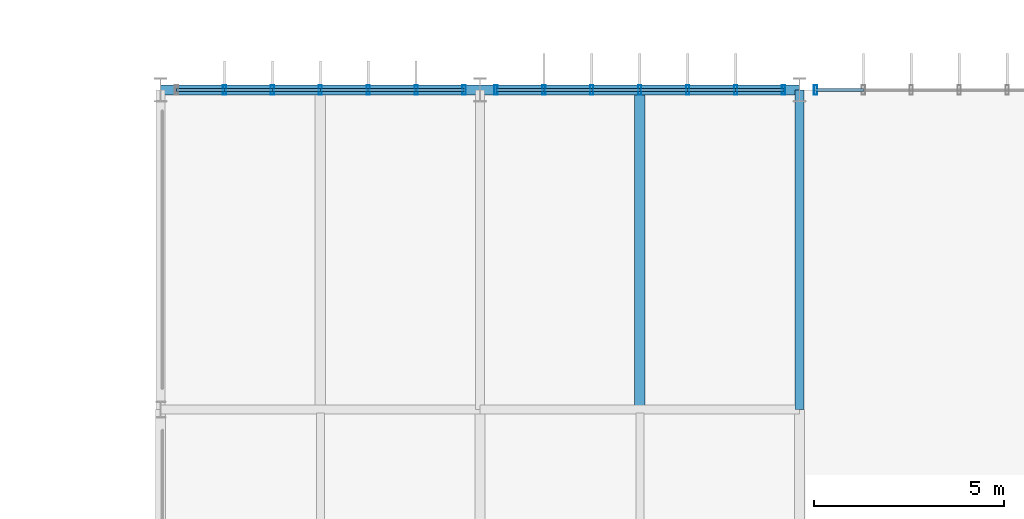
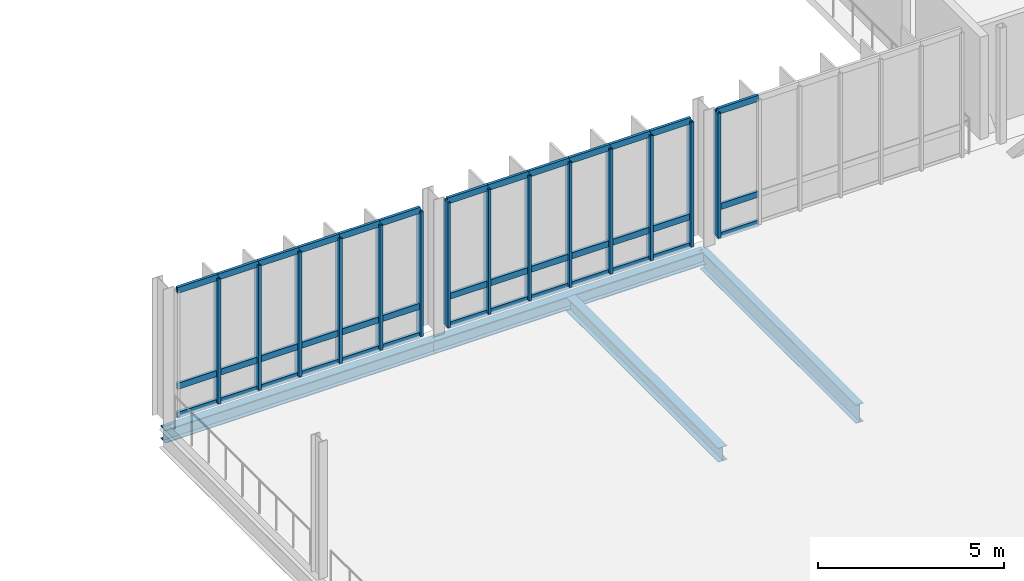
# One storey, part 66 of 139: 53 members, 4 beams, 3 elements without a shape of their own.
"""IFC4 building model written with IfcOpenShell, lengths in metres."""

import ifcopenshell
import ifcopenshell.guid

model = None  # the IFC model being written
_history = None  # IfcOwnerHistory: only IFC2X3 demands one
_inside = {}  # id of a spatial element -> (the spatial element, [elements in it])
_under = {}  # id of a project, library or spatial element -> (it, [spatial elements below it])
_declared = {}  # id of a project -> (the project, [libraries it declares])
_typed = {}  # id of a type object -> (the type object, [elements of that type])
_made_of = {}  # id of a material, layer set ... -> (it, [elements and type objects made of it])


def new_model(schema):
    """Start an empty IFC model of exactly this schema.

    Asked for "IFC4X3", IfcOpenShell would pick the latest addendum, in which some entities
    have other attributes; the version numbers below select the first issue.
    IFC2X3 requires an IfcOwnerHistory on every rooted entity: one is made here for all.
    """
    global model, _history
    if schema == "IFC4X3":
        model = ifcopenshell.file(schema_version=(4, 3, 0, 0))
    else:
        model = ifcopenshell.file(schema=schema)
    _inside.clear()
    _under.clear()
    _declared.clear()
    _typed.clear()
    _made_of.clear()
    _history = None
    if model.schema == "IFC2X3":
        org = make("IfcOrganization", Name="unknown")
        user = make(
            "IfcPersonAndOrganization",
            ThePerson=make("IfcPerson", FamilyName="unknown"),
            TheOrganization=org,
        )
        app = make(
            "IfcApplication",
            ApplicationDeveloper=org,
            Version="unknown",
            ApplicationFullName="unknown",
            ApplicationIdentifier="unknown",
        )
        _history = make(
            "IfcOwnerHistory",
            OwningUser=user,
            OwningApplication=app,
            ChangeAction="ADDED",
            CreationDate=0,
        )
    return model


def make(cls, **values):
    """One entity of the class cls with the attributes given. An attribute that is None is left unset."""
    return model.create_entity(
        cls, **{name: value for name, value in values.items() if value is not None}
    )


def rooted(cls, **values):
    """An entity with a GlobalId (a new one), such as an element, a storey or a relation."""
    return make(cls, GlobalId=ifcopenshell.guid.new(), OwnerHistory=_history, **values)


def si_unit(unit_type, name, prefix=None):
    """IfcSIUnit, for example si_unit("LENGTHUNIT", "METRE", prefix="MILLI")."""
    return make("IfcSIUnit", UnitType=unit_type, Prefix=prefix, Name=name)


def derived_unit(unit_type, elements):
    """IfcDerivedUnit: a product of units, each with its exponent."""
    return make(
        "IfcDerivedUnit",
        Elements=[
            make("IfcDerivedUnitElement", Unit=unit, Exponent=power)
            for unit, power in elements
        ],
        UnitType=unit_type,
    )


def assignment(units):
    """IfcUnitAssignment: the units of a project."""
    return None if units is None else make("IfcUnitAssignment", Units=units)


def point(xyz):
    """IfcCartesianPoint."""
    return None if xyz is None else make("IfcCartesianPoint", Coordinates=xyz)


def direction(xyz):
    """IfcDirection."""
    return None if xyz is None else make("IfcDirection", DirectionRatios=xyz)


def frame(location, z_axis=None, x_axis=None):
    """IfcAxis2Placement3D, a coordinate frame: its origin and axes. An axis left out is left unset."""
    return make(
        "IfcAxis2Placement3D",
        Location=point(location),
        Axis=direction(z_axis),
        RefDirection=direction(x_axis),
    )


def frame_2d(location, x_axis=None):
    """IfcAxis2Placement2D, a coordinate frame in the plane: its origin and x axis."""
    return make(
        "IfcAxis2Placement2D", Location=point(location), RefDirection=direction(x_axis)
    )


def origin():
    """The frame at (0, 0, 0) with its axes left unset."""
    return frame((0.0, 0.0, 0.0))


def origin_2d():
    """The frame at (0, 0) in the plane with its x axis left unset."""
    return frame_2d((0.0, 0.0))


def place(relative_to, where):
    """IfcLocalPlacement: puts the frame where relative to a parent placement (None: the world)."""
    return make(
        "IfcLocalPlacement", PlacementRelTo=relative_to, RelativePlacement=where
    )


def context(
    kind, dimensions, precision=None, world=None, true_north=None, identifier=None
):
    """IfcGeometricRepresentationContext, for example the 3D "Model" context."""
    return make(
        "IfcGeometricRepresentationContext",
        ContextIdentifier=identifier,
        ContextType=kind,
        CoordinateSpaceDimension=dimensions,
        Precision=precision,
        WorldCoordinateSystem=world,
        TrueNorth=true_north,
    )


def subcontext(parent, identifier, kind, view, scale=None):
    """IfcGeometricRepresentationSubContext, for example "Body" below "Model"."""
    return make(
        "IfcGeometricRepresentationSubContext",
        ContextIdentifier=identifier,
        ContextType=kind,
        ParentContext=parent,
        TargetScale=scale,
        TargetView=view,
    )


def project(units=None, contexts=None):
    """IfcProject with its units and contexts."""
    return rooted(
        "IfcProject",
        Name="project",
        RepresentationContexts=contexts,
        UnitsInContext=assignment(units),
    )


def spatial(cls, under=None, at=None, **own):
    """A site, building, storey or space (cls), placed at a placement, below another one or the project."""
    s = rooted(cls, ObjectPlacement=at, **own)
    if under is not None:
        _under.setdefault(under.id(), (under, []))[1].append(s)
    return s


def profile(cls, at=None, kind="AREA", **sizes):
    """A parametric profile (cls). Its sizes go by their IFC names, for example OverallWidth=200.0."""
    return make(cls, ProfileType=kind, Position=at, **sizes)


def hollow_rectangle(**sizes):
    """IfcRectangleHollowProfileDef."""
    return profile("IfcRectangleHollowProfileDef", **sizes)


def i_section(**sizes):
    """IfcIShapeProfileDef."""
    return profile("IfcIShapeProfileDef", **sizes)


def extrude(swept, where, along, depth):
    """IfcExtrudedAreaSolid: the profile swept, set in the frame where, extruded along a direction by depth."""
    return make(
        "IfcExtrudedAreaSolid",
        SweptArea=swept,
        Position=where,
        ExtrudedDirection=direction(along),
        Depth=depth,
    )


def shape(context_of_items, identifier, shape_type, items):
    """IfcShapeRepresentation: the items that make up one representation, for example the "Body"."""
    return make(
        "IfcShapeRepresentation",
        ContextOfItems=context_of_items,
        RepresentationIdentifier=identifier,
        RepresentationType=shape_type,
        Items=items,
    )


def material(Name=None, Category=None):
    """IfcMaterial."""
    return make("IfcMaterial", Name=Name, Category=Category)


def layer(
    of_material, thickness, ventilated=None, Name=None, Category=None, Priority=None
):
    """IfcMaterialLayer: one layer of a wall or slab, of a material (None: an air gap)."""
    return make(
        "IfcMaterialLayer",
        Material=of_material,
        LayerThickness=thickness,
        IsVentilated=ventilated,
        Name=Name,
        Category=Category,
        Priority=Priority,
    )


def layer_set(layers, Name=None):
    """IfcMaterialLayerSet."""
    return make("IfcMaterialLayerSet", MaterialLayers=layers, LayerSetName=Name)


def material_profile(
    of_material, cross_section, Name=None, Category=None, Priority=None
):
    """IfcMaterialProfile: a cross section and its material."""
    return make(
        "IfcMaterialProfile",
        Name=Name,
        Material=of_material,
        Profile=cross_section,
        Priority=Priority,
        Category=Category,
    )


def profile_set(profiles, Name=None, composite=None):
    """IfcMaterialProfileSet."""
    return make(
        "IfcMaterialProfileSet",
        Name=Name,
        MaterialProfiles=profiles,
        CompositeProfile=composite,
    )


def made_of(thing, what):
    """Note that an element or type object is made of a material, layer set ...; save() writes the relation."""
    if what is not None:
        _made_of.setdefault(what.id(), (what, []))[1].append(thing)
    return thing


def type_object(cls, material=None, **own):
    """A type object (cls), such as IfcWallType, which elements share."""
    return made_of(rooted(cls, **own), material)


def element(
    cls,
    number,
    at=None,
    inside=None,
    cuts=None,
    type_object=None,
    material=None,
    context=None,
    identifier="Body",
    shape_type=None,
    held_by="IfcProductDefinitionShape",
    body=None,
    shapes=None,
    **own,
):
    """One element of the class cls, such as IfcWall. Its Tag is "e" and its number.

    at: its placement. inside: the storey or other place that contains it. cuts: it is an
    opening in that element (IfcRelVoidsElement). A single representation is given by context,
    identifier, shape_type and body (its items); several are given by shapes. held_by: the class
    of the entity that holds the representations. save() writes the other relations.
    """
    e = rooted(cls, Tag="e%d" % number, ObjectPlacement=at, **own)
    if body is not None:
        shapes = [shape(context, identifier, shape_type, body)]
    if shapes is not None:
        e.Representation = make(held_by, Representations=shapes)
    if inside is not None:
        _inside.setdefault(inside.id(), (inside, []))[1].append(e)
    if cuts is not None:
        rooted(
            "IfcRelVoidsElement", RelatingBuildingElement=cuts, RelatedOpeningElement=e
        )
    if type_object is not None:
        _typed.setdefault(type_object.id(), (type_object, []))[1].append(e)
    return made_of(e, material)


def aggregate(whole, parts):
    """IfcRelAggregates: a whole, such as a stair, and the parts it consists of."""
    return rooted("IfcRelAggregates", RelatingObject=whole, RelatedObjects=parts)


def save(model, path):
    """Write the relations noted so far, then the file.

    IfcRelAggregates (storeys below a building ...), IfcRelContainedInSpatialStructure (elements
    in a storey), IfcRelDefinesByType, IfcRelAssociatesMaterial and IfcRelDeclares: one each for
    every whole, place, type object, material and project.
    """
    for whole, parts in _under.values():
        aggregate(whole, parts)
    for where, things in _inside.values():
        rooted(
            "IfcRelContainedInSpatialStructure",
            RelatedElements=things,
            RelatingStructure=where,
        )
    for kind, things in _typed.values():
        rooted("IfcRelDefinesByType", RelatedObjects=things, RelatingType=kind)
    for what, things in _made_of.values():
        rooted("IfcRelAssociatesMaterial", RelatedObjects=things, RelatingMaterial=what)
    for by, libraries in _declared.values():
        rooted("IfcRelDeclares", RelatingContext=by, RelatedDefinitions=libraries)
    model.write(path)


model = new_model("IFC4")

# Units and contexts
model_context = context("Model", 3, precision=1e-05, world=origin(), true_north=direction((0.0, 1.0)))
body_context = subcontext(model_context, "Body", "Model", "MODEL_VIEW")
ifc_project = project(units=[si_unit("LENGTHUNIT", "METRE"), si_unit("AREAUNIT", "SQUARE_METRE"), si_unit("VOLUMEUNIT", "CUBIC_METRE"), si_unit("PLANEANGLEUNIT", "RADIAN"), si_unit("MASSUNIT", "GRAM", prefix="KILO"), derived_unit("THERMALTRANSMITTANCEUNIT", [(si_unit("MASSUNIT", "GRAM", prefix="KILO"), 1), (si_unit("TIMEUNIT", "SECOND"), -3), (si_unit("THERMODYNAMICTEMPERATUREUNIT", "KELVIN"), -1)])], contexts=[model_context])

# Site, building, storey
site_placement = place(None, origin())
site = spatial("IfcSite", under=ifc_project, at=site_placement, CompositionType="ELEMENT")
building_placement = place(site_placement, origin())
building = spatial("IfcBuilding", under=site, at=building_placement, Name="Makaiwela Harbour Ferry Terminal", CompositionType="ELEMENT")
storey_placement = place(building_placement, frame((0.0, 0.0, 5.10009765625)))
storey = spatial("IfcBuildingStorey", under=building, at=storey_placement, Name="L01", CompositionType="ELEMENT", Elevation=5.10009765625)

# Curtain wall, members
ifc_material_1 = material(Name="Marine anodised aluminium 6063-T6", Category="aluminium")
ifc_layer = layer(ifc_material_1, 0.199951171875)
ifc_layer_set = layer_set([ifc_layer], Name="Marine anodised aluminium 6063-T6")
curtain_wall_type = type_object("IfcCurtainWallType", Name="ENV-CW-08", PredefinedType="USERDEFINED", material=ifc_layer_set)
curtain_wall_1_placement = place(storey_placement, origin())
curtain_wall_1 = element("IfcCurtainWall", 1, at=curtain_wall_1_placement, inside=storey, type_object=curtain_wall_type, Name="Unitised Curtain Wall CWA-072", ObjectType="UNITIZED CURTAIN WALL", PredefinedType="USERDEFINED")
ifc_material_profile_1 = material_profile(ifc_material_1, hollow_rectangle(XDim=0.0849609375, YDim=0.25, WallThickness=0.0048828125, at=origin_2d()), Name="CWM-250X85")
ifc_profile_set_1 = profile_set([ifc_material_profile_1], Name="Marine anodised aluminium 6063-T6")
member_type_1 = type_object("IfcMemberType", Name="CW-MUL-250", PredefinedType="MULLION", material=ifc_profile_set_1)
member_1_placement = place(storey_placement, frame((64.679931640625, 103.39990234375, 0.0), z_axis=(0.0, 0.0, 1.0), x_axis=(1.0, 0.0, 0.0)))
member_1 = element("IfcMember", 2, at=member_1_placement, type_object=member_type_1, Name="Curtain Wall Mullion CWA-072-2", PredefinedType="MULLION", context=body_context, shape_type="SweptSolid", body=[
    extrude(hollow_rectangle(XDim=0.0849609375, YDim=0.25, WallThickness=0.0048828125, at=origin_2d()), origin(), (0.0, 0.0, 1.0), 4.099853515625),
])
member_2_placement = place(storey_placement, frame((65.93994140625, 103.39990234375, 0.0), z_axis=(0.0, 0.0, 1.0), x_axis=(1.0, 0.0, 0.0)))
member_2 = element("IfcMember", 3, at=member_2_placement, type_object=member_type_1, Name="Curtain Wall Mullion CWA-072-3", PredefinedType="MULLION", context=body_context, shape_type="SweptSolid", body=[
    extrude(hollow_rectangle(XDim=0.0849609375, YDim=0.25, WallThickness=0.0048828125, at=origin_2d()), origin(), (0.0, 0.0, 1.0), 4.099853515625),
])
member_3_placement = place(storey_placement, frame((67.199951171875, 103.39990234375, 0.0), z_axis=(0.0, 0.0, 1.0), x_axis=(1.0, 0.0, 0.0)))
member_3 = element("IfcMember", 4, at=member_3_placement, type_object=member_type_1, Name="Curtain Wall Mullion CWA-072-4", PredefinedType="MULLION", context=body_context, shape_type="SweptSolid", body=[
    extrude(hollow_rectangle(XDim=0.0849609375, YDim=0.25, WallThickness=0.0048828125, at=origin_2d()), origin(), (0.0, 0.0, 1.0), 4.099853515625),
])
member_4_placement = place(storey_placement, frame((68.4599609375, 103.39990234375, 0.0), z_axis=(0.0, 0.0, 1.0), x_axis=(1.0, 0.0, 0.0)))
member_4 = element("IfcMember", 5, at=member_4_placement, type_object=member_type_1, Name="Curtain Wall Mullion CWA-072-5", PredefinedType="MULLION", context=body_context, shape_type="SweptSolid", body=[
    extrude(hollow_rectangle(XDim=0.0849609375, YDim=0.25, WallThickness=0.0048828125, at=origin_2d()), origin(), (0.0, 0.0, 1.0), 4.099853515625),
])
member_5_placement = place(storey_placement, frame((69.719970703125, 103.39990234375, 0.0), z_axis=(0.0, 0.0, 1.0), x_axis=(1.0, 0.0, 0.0)))
member_5 = element("IfcMember", 6, at=member_5_placement, type_object=member_type_1, Name="Curtain Wall Mullion CWA-072-6", PredefinedType="MULLION", context=body_context, shape_type="SweptSolid", body=[
    extrude(hollow_rectangle(XDim=0.0849609375, YDim=0.25, WallThickness=0.0048828125, at=origin_2d()), origin(), (0.0, 0.0, 1.0), 4.099853515625),
])
member_6_placement = place(storey_placement, frame((70.97998046875, 103.39990234375, 0.0), z_axis=(0.0, 0.0, 1.0), x_axis=(1.0, 0.0, 0.0)))
member_6 = element("IfcMember", 7, at=member_6_placement, type_object=member_type_1, Name="Curtain Wall Mullion CWA-072-7", PredefinedType="MULLION", context=body_context, shape_type="SweptSolid", body=[
    extrude(hollow_rectangle(XDim=0.0849609375, YDim=0.25, WallThickness=0.0048828125, at=origin_2d()), origin(), (0.0, 0.0, 1.0), 4.099853515625),
])

curtain_wall_2_placement = place(storey_placement, origin())
curtain_wall_2 = element("IfcCurtainWall", 8, at=curtain_wall_2_placement, inside=storey, type_object=curtain_wall_type, Name="Unitised Curtain Wall CWA-073", ObjectType="UNITIZED CURTAIN WALL", PredefinedType="USERDEFINED")
member_7_placement = place(storey_placement, frame((71.820068359375, 103.39990234375, 0.0), z_axis=(0.0, 0.0, 1.0), x_axis=(1.0, 0.0, 0.0)))
member_7 = element("IfcMember", 9, at=member_7_placement, type_object=member_type_1, Name="Curtain Wall Mullion CWA-073-1", PredefinedType="MULLION", context=body_context, shape_type="SweptSolid", body=[
    extrude(hollow_rectangle(XDim=0.0849609375, YDim=0.25, WallThickness=0.0048828125, at=origin_2d()), origin(), (0.0, 0.0, 1.0), 4.099853515625),
])
member_8_placement = place(storey_placement, frame((73.080078125, 103.39990234375, 0.0), z_axis=(0.0, 0.0, 1.0), x_axis=(1.0, 0.0, 0.0)))
member_8 = element("IfcMember", 10, at=member_8_placement, type_object=member_type_1, Name="Curtain Wall Mullion CWA-073-2", PredefinedType="MULLION", context=body_context, shape_type="SweptSolid", body=[
    extrude(hollow_rectangle(XDim=0.0849609375, YDim=0.25, WallThickness=0.0048828125, at=origin_2d()), origin(), (0.0, 0.0, 1.0), 4.099853515625),
])
member_9_placement = place(storey_placement, frame((74.340087890625, 103.39990234375, 0.0), z_axis=(0.0, 0.0, 1.0), x_axis=(1.0, 0.0, 0.0)))
member_9 = element("IfcMember", 11, at=member_9_placement, type_object=member_type_1, Name="Curtain Wall Mullion CWA-073-3", PredefinedType="MULLION", context=body_context, shape_type="SweptSolid", body=[
    extrude(hollow_rectangle(XDim=0.0849609375, YDim=0.25, WallThickness=0.0048828125, at=origin_2d()), origin(), (0.0, 0.0, 1.0), 4.099853515625),
])
member_10_placement = place(storey_placement, frame((75.60009765625, 103.39990234375, 0.0), z_axis=(0.0, 0.0, 1.0), x_axis=(1.0, 0.0, 0.0)))
member_10 = element("IfcMember", 12, at=member_10_placement, type_object=member_type_1, Name="Curtain Wall Mullion CWA-073-4", PredefinedType="MULLION", context=body_context, shape_type="SweptSolid", body=[
    extrude(hollow_rectangle(XDim=0.0849609375, YDim=0.25, WallThickness=0.0048828125, at=origin_2d()), origin(), (0.0, 0.0, 1.0), 4.099853515625),
])
member_11_placement = place(storey_placement, frame((76.860107421875, 103.39990234375, 0.0), z_axis=(0.0, 0.0, 1.0), x_axis=(1.0, 0.0, 0.0)))
member_11 = element("IfcMember", 13, at=member_11_placement, type_object=member_type_1, Name="Curtain Wall Mullion CWA-073-5", PredefinedType="MULLION", context=body_context, shape_type="SweptSolid", body=[
    extrude(hollow_rectangle(XDim=0.0849609375, YDim=0.25, WallThickness=0.0048828125, at=origin_2d()), origin(), (0.0, 0.0, 1.0), 4.099853515625),
])
member_12_placement = place(storey_placement, frame((78.1201171875, 103.39990234375, 0.0), z_axis=(0.0, 0.0, 1.0), x_axis=(1.0, 0.0, 0.0)))
member_12 = element("IfcMember", 14, at=member_12_placement, type_object=member_type_1, Name="Curtain Wall Mullion CWA-073-6", PredefinedType="MULLION", context=body_context, shape_type="SweptSolid", body=[
    extrude(hollow_rectangle(XDim=0.0849609375, YDim=0.25, WallThickness=0.0048828125, at=origin_2d()), origin(), (0.0, 0.0, 1.0), 4.099853515625),
])
member_13_placement = place(storey_placement, frame((79.3798828125, 103.39990234375, 0.0), z_axis=(0.0, 0.0, 1.0), x_axis=(1.0, 0.0, 0.0)))
member_13 = element("IfcMember", 15, at=member_13_placement, type_object=member_type_1, Name="Curtain Wall Mullion CWA-073-7", PredefinedType="MULLION", context=body_context, shape_type="SweptSolid", body=[
    extrude(hollow_rectangle(XDim=0.0849609375, YDim=0.25, WallThickness=0.0048828125, at=origin_2d()), origin(), (0.0, 0.0, 1.0), 4.099853515625),
])

# Curtain wall, member
curtain_wall_3_placement = place(storey_placement, origin())
curtain_wall_3 = element("IfcCurtainWall", 16, at=curtain_wall_3_placement, inside=storey, type_object=curtain_wall_type, Name="Unitised Curtain Wall CWA-077", ObjectType="UNITIZED CURTAIN WALL", PredefinedType="USERDEFINED")
member_14_placement = place(storey_placement, frame((80.219970703125, 103.39990234375, 0.0), z_axis=(0.0, 0.0, 1.0), x_axis=(1.0, 0.0, 0.0)))
member_14 = element("IfcMember", 17, at=member_14_placement, type_object=member_type_1, Name="Curtain Wall Mullion CWA-077-1", PredefinedType="MULLION", context=body_context, shape_type="SweptSolid", body=[
    extrude(hollow_rectangle(XDim=0.0849609375, YDim=0.25, WallThickness=0.0048828125, at=origin_2d()), origin(), (0.0, 0.0, 1.0), 4.099853515625),
])

# Member
ifc_material_profile_2 = material_profile(ifc_material_1, hollow_rectangle(XDim=0.0849609375, YDim=0.199951171875, WallThickness=0.0048828125, at=origin_2d()), Name="CWT-200X85")
ifc_profile_set_2 = profile_set([ifc_material_profile_2], Name="Marine anodised aluminium 6063-T6")
member_type_2 = type_object("IfcMemberType", Name="CW-TRN-200", PredefinedType="USERDEFINED", material=ifc_profile_set_2)
member_15_placement = place(storey_placement, frame((63.419921875, 103.39990234375, 0.0), z_axis=(1.0, 0.0, 0.0), x_axis=(0.0, 1.0, 0.0)))
member_15 = element("IfcMember", 18, at=member_15_placement, type_object=member_type_2, Name="Curtain Wall Transom CWA-072-1-1", ObjectType="TRANSOM", PredefinedType="USERDEFINED", context=body_context, shape_type="SweptSolid", body=[
    extrude(hollow_rectangle(XDim=0.0849609375, YDim=0.199951171875, WallThickness=0.0048828125, at=origin_2d()), origin(), (0.0, 0.0, 1.0), 1.260009765625),
])

member_16_placement = place(storey_placement, frame((63.419921875, 103.39990234375, 0.949951171875), z_axis=(1.0, 0.0, 0.0), x_axis=(0.0, 1.0, 0.0)))
member_16 = element("IfcMember", 19, at=member_16_placement, type_object=member_type_2, Name="Curtain Wall Transom CWA-072-1-2", ObjectType="TRANSOM", PredefinedType="USERDEFINED", context=body_context, shape_type="SweptSolid", body=[
    extrude(hollow_rectangle(XDim=0.0849609375, YDim=0.199951171875, WallThickness=0.0048828125, at=origin_2d()), origin(), (0.0, 0.0, 1.0), 1.260009765625),
])

member_17_placement = place(storey_placement, frame((63.419921875, 103.39990234375, 4.099853515625), z_axis=(1.0, 0.0, 0.0), x_axis=(0.0, 1.0, 0.0)))
member_17 = element("IfcMember", 20, at=member_17_placement, type_object=member_type_2, Name="Curtain Wall Transom CWA-072-1-3", ObjectType="TRANSOM", PredefinedType="USERDEFINED", context=body_context, shape_type="SweptSolid", body=[
    extrude(hollow_rectangle(XDim=0.0849609375, YDim=0.199951171875, WallThickness=0.0048828125, at=origin_2d()), origin(), (0.0, 0.0, 1.0), 1.260009765625),
])

member_18_placement = place(storey_placement, frame((64.679931640625, 103.39990234375, 0.0), z_axis=(1.0, 0.0, 0.0), x_axis=(0.0, 1.0, 0.0)))
member_18 = element("IfcMember", 21, at=member_18_placement, type_object=member_type_2, Name="Curtain Wall Transom CWA-072-2-1", ObjectType="TRANSOM", PredefinedType="USERDEFINED", context=body_context, shape_type="SweptSolid", body=[
    extrude(hollow_rectangle(XDim=0.0849609375, YDim=0.199951171875, WallThickness=0.0048828125, at=origin_2d()), origin(), (0.0, 0.0, 1.0), 1.260009765625),
])

member_19_placement = place(storey_placement, frame((64.679931640625, 103.39990234375, 0.949951171875), z_axis=(1.0, 0.0, 0.0), x_axis=(0.0, 1.0, 0.0)))
member_19 = element("IfcMember", 22, at=member_19_placement, type_object=member_type_2, Name="Curtain Wall Transom CWA-072-2-2", ObjectType="TRANSOM", PredefinedType="USERDEFINED", context=body_context, shape_type="SweptSolid", body=[
    extrude(hollow_rectangle(XDim=0.0849609375, YDim=0.199951171875, WallThickness=0.0048828125, at=origin_2d()), origin(), (0.0, 0.0, 1.0), 1.260009765625),
])

member_20_placement = place(storey_placement, frame((64.679931640625, 103.39990234375, 4.099853515625), z_axis=(1.0, 0.0, 0.0), x_axis=(0.0, 1.0, 0.0)))
member_20 = element("IfcMember", 23, at=member_20_placement, type_object=member_type_2, Name="Curtain Wall Transom CWA-072-2-3", ObjectType="TRANSOM", PredefinedType="USERDEFINED", context=body_context, shape_type="SweptSolid", body=[
    extrude(hollow_rectangle(XDim=0.0849609375, YDim=0.199951171875, WallThickness=0.0048828125, at=origin_2d()), origin(), (0.0, 0.0, 1.0), 1.260009765625),
])

member_21_placement = place(storey_placement, frame((65.93994140625, 103.39990234375, 0.0), z_axis=(1.0, 0.0, 0.0), x_axis=(0.0, 1.0, 0.0)))
member_21 = element("IfcMember", 24, at=member_21_placement, type_object=member_type_2, Name="Curtain Wall Transom CWA-072-3-1", ObjectType="TRANSOM", PredefinedType="USERDEFINED", context=body_context, shape_type="SweptSolid", body=[
    extrude(hollow_rectangle(XDim=0.0849609375, YDim=0.199951171875, WallThickness=0.0048828125, at=origin_2d()), origin(), (0.0, 0.0, 1.0), 1.260009765625),
])

member_22_placement = place(storey_placement, frame((65.93994140625, 103.39990234375, 0.949951171875), z_axis=(1.0, 0.0, 0.0), x_axis=(0.0, 1.0, 0.0)))
member_22 = element("IfcMember", 25, at=member_22_placement, type_object=member_type_2, Name="Curtain Wall Transom CWA-072-3-2", ObjectType="TRANSOM", PredefinedType="USERDEFINED", context=body_context, shape_type="SweptSolid", body=[
    extrude(hollow_rectangle(XDim=0.0849609375, YDim=0.199951171875, WallThickness=0.0048828125, at=origin_2d()), origin(), (0.0, 0.0, 1.0), 1.260009765625),
])

member_23_placement = place(storey_placement, frame((65.93994140625, 103.39990234375, 4.099853515625), z_axis=(1.0, 0.0, 0.0), x_axis=(0.0, 1.0, 0.0)))
member_23 = element("IfcMember", 26, at=member_23_placement, type_object=member_type_2, Name="Curtain Wall Transom CWA-072-3-3", ObjectType="TRANSOM", PredefinedType="USERDEFINED", context=body_context, shape_type="SweptSolid", body=[
    extrude(hollow_rectangle(XDim=0.0849609375, YDim=0.199951171875, WallThickness=0.0048828125, at=origin_2d()), origin(), (0.0, 0.0, 1.0), 1.260009765625),
])

member_24_placement = place(storey_placement, frame((67.199951171875, 103.39990234375, 0.0), z_axis=(1.0, 0.0, 0.0), x_axis=(0.0, 1.0, 0.0)))
member_24 = element("IfcMember", 27, at=member_24_placement, type_object=member_type_2, Name="Curtain Wall Transom CWA-072-4-1", ObjectType="TRANSOM", PredefinedType="USERDEFINED", context=body_context, shape_type="SweptSolid", body=[
    extrude(hollow_rectangle(XDim=0.0849609375, YDim=0.199951171875, WallThickness=0.0048828125, at=origin_2d()), origin(), (0.0, 0.0, 1.0), 1.260009765625),
])

member_25_placement = place(storey_placement, frame((67.199951171875, 103.39990234375, 0.949951171875), z_axis=(1.0, 0.0, 0.0), x_axis=(0.0, 1.0, 0.0)))
member_25 = element("IfcMember", 28, at=member_25_placement, type_object=member_type_2, Name="Curtain Wall Transom CWA-072-4-2", ObjectType="TRANSOM", PredefinedType="USERDEFINED", context=body_context, shape_type="SweptSolid", body=[
    extrude(hollow_rectangle(XDim=0.0849609375, YDim=0.199951171875, WallThickness=0.0048828125, at=origin_2d()), origin(), (0.0, 0.0, 1.0), 1.260009765625),
])

member_26_placement = place(storey_placement, frame((67.199951171875, 103.39990234375, 4.099853515625), z_axis=(1.0, 0.0, 0.0), x_axis=(0.0, 1.0, 0.0)))
member_26 = element("IfcMember", 29, at=member_26_placement, type_object=member_type_2, Name="Curtain Wall Transom CWA-072-4-3", ObjectType="TRANSOM", PredefinedType="USERDEFINED", context=body_context, shape_type="SweptSolid", body=[
    extrude(hollow_rectangle(XDim=0.0849609375, YDim=0.199951171875, WallThickness=0.0048828125, at=origin_2d()), origin(), (0.0, 0.0, 1.0), 1.260009765625),
])

member_27_placement = place(storey_placement, frame((68.4599609375, 103.39990234375, 0.0), z_axis=(1.0, 0.0, 0.0), x_axis=(0.0, 1.0, 0.0)))
member_27 = element("IfcMember", 30, at=member_27_placement, type_object=member_type_2, Name="Curtain Wall Transom CWA-072-5-1", ObjectType="TRANSOM", PredefinedType="USERDEFINED", context=body_context, shape_type="SweptSolid", body=[
    extrude(hollow_rectangle(XDim=0.0849609375, YDim=0.199951171875, WallThickness=0.0048828125, at=origin_2d()), origin(), (0.0, 0.0, 1.0), 1.260009765625),
])

member_28_placement = place(storey_placement, frame((68.4599609375, 103.39990234375, 0.949951171875), z_axis=(1.0, 0.0, 0.0), x_axis=(0.0, 1.0, 0.0)))
member_28 = element("IfcMember", 31, at=member_28_placement, type_object=member_type_2, Name="Curtain Wall Transom CWA-072-5-2", ObjectType="TRANSOM", PredefinedType="USERDEFINED", context=body_context, shape_type="SweptSolid", body=[
    extrude(hollow_rectangle(XDim=0.0849609375, YDim=0.199951171875, WallThickness=0.0048828125, at=origin_2d()), origin(), (0.0, 0.0, 1.0), 1.260009765625),
])

member_29_placement = place(storey_placement, frame((68.4599609375, 103.39990234375, 4.099853515625), z_axis=(1.0, 0.0, 0.0), x_axis=(0.0, 1.0, 0.0)))
member_29 = element("IfcMember", 32, at=member_29_placement, type_object=member_type_2, Name="Curtain Wall Transom CWA-072-5-3", ObjectType="TRANSOM", PredefinedType="USERDEFINED", context=body_context, shape_type="SweptSolid", body=[
    extrude(hollow_rectangle(XDim=0.0849609375, YDim=0.199951171875, WallThickness=0.0048828125, at=origin_2d()), origin(), (0.0, 0.0, 1.0), 1.260009765625),
])

member_30_placement = place(storey_placement, frame((69.719970703125, 103.39990234375, 0.0), z_axis=(1.0, 0.0, 0.0), x_axis=(0.0, 1.0, 0.0)))
member_30 = element("IfcMember", 33, at=member_30_placement, type_object=member_type_2, Name="Curtain Wall Transom CWA-072-6-1", ObjectType="TRANSOM", PredefinedType="USERDEFINED", context=body_context, shape_type="SweptSolid", body=[
    extrude(hollow_rectangle(XDim=0.0849609375, YDim=0.199951171875, WallThickness=0.0048828125, at=origin_2d()), origin(), (0.0, 0.0, 1.0), 1.260009765625),
])

member_31_placement = place(storey_placement, frame((69.719970703125, 103.39990234375, 0.949951171875), z_axis=(1.0, 0.0, 0.0), x_axis=(0.0, 1.0, 0.0)))
member_31 = element("IfcMember", 34, at=member_31_placement, type_object=member_type_2, Name="Curtain Wall Transom CWA-072-6-2", ObjectType="TRANSOM", PredefinedType="USERDEFINED", context=body_context, shape_type="SweptSolid", body=[
    extrude(hollow_rectangle(XDim=0.0849609375, YDim=0.199951171875, WallThickness=0.0048828125, at=origin_2d()), origin(), (0.0, 0.0, 1.0), 1.260009765625),
])

member_32_placement = place(storey_placement, frame((69.719970703125, 103.39990234375, 4.099853515625), z_axis=(1.0, 0.0, 0.0), x_axis=(0.0, 1.0, 0.0)))
member_32 = element("IfcMember", 35, at=member_32_placement, type_object=member_type_2, Name="Curtain Wall Transom CWA-072-6-3", ObjectType="TRANSOM", PredefinedType="USERDEFINED", context=body_context, shape_type="SweptSolid", body=[
    extrude(hollow_rectangle(XDim=0.0849609375, YDim=0.199951171875, WallThickness=0.0048828125, at=origin_2d()), origin(), (0.0, 0.0, 1.0), 1.260009765625),
])

aggregate(curtain_wall_1, [member_1, member_2, member_3, member_4, member_5, member_6, member_15, member_16, member_17, member_18, member_19, member_20, member_21, member_22, member_23, member_24, member_25, member_26, member_27, member_28, member_29, member_30, member_31, member_32])

member_33_placement = place(storey_placement, frame((71.820068359375, 103.39990234375, 0.0), z_axis=(1.0, 0.0, 0.0), x_axis=(0.0, 1.0, 0.0)))
member_33 = element("IfcMember", 36, at=member_33_placement, type_object=member_type_2, Name="Curtain Wall Transom CWA-073-1-1", ObjectType="TRANSOM", PredefinedType="USERDEFINED", context=body_context, shape_type="SweptSolid", body=[
    extrude(hollow_rectangle(XDim=0.0849609375, YDim=0.199951171875, WallThickness=0.0048828125, at=origin_2d()), origin(), (0.0, 0.0, 1.0), 1.260009765625),
])

member_34_placement = place(storey_placement, frame((71.820068359375, 103.39990234375, 0.949951171875), z_axis=(1.0, 0.0, 0.0), x_axis=(0.0, 1.0, 0.0)))
member_34 = element("IfcMember", 37, at=member_34_placement, type_object=member_type_2, Name="Curtain Wall Transom CWA-073-1-2", ObjectType="TRANSOM", PredefinedType="USERDEFINED", context=body_context, shape_type="SweptSolid", body=[
    extrude(hollow_rectangle(XDim=0.0849609375, YDim=0.199951171875, WallThickness=0.0048828125, at=origin_2d()), origin(), (0.0, 0.0, 1.0), 1.260009765625),
])

member_35_placement = place(storey_placement, frame((71.820068359375, 103.39990234375, 4.099853515625), z_axis=(1.0, 0.0, 0.0), x_axis=(0.0, 1.0, 0.0)))
member_35 = element("IfcMember", 38, at=member_35_placement, type_object=member_type_2, Name="Curtain Wall Transom CWA-073-1-3", ObjectType="TRANSOM", PredefinedType="USERDEFINED", context=body_context, shape_type="SweptSolid", body=[
    extrude(hollow_rectangle(XDim=0.0849609375, YDim=0.199951171875, WallThickness=0.0048828125, at=origin_2d()), origin(), (0.0, 0.0, 1.0), 1.260009765625),
])

member_36_placement = place(storey_placement, frame((73.080078125, 103.39990234375, 0.0), z_axis=(1.0, 0.0, 0.0), x_axis=(0.0, 1.0, 0.0)))
member_36 = element("IfcMember", 39, at=member_36_placement, type_object=member_type_2, Name="Curtain Wall Transom CWA-073-2-1", ObjectType="TRANSOM", PredefinedType="USERDEFINED", context=body_context, shape_type="SweptSolid", body=[
    extrude(hollow_rectangle(XDim=0.0849609375, YDim=0.199951171875, WallThickness=0.0048828125, at=origin_2d()), origin(), (0.0, 0.0, 1.0), 1.260009765625),
])

member_37_placement = place(storey_placement, frame((73.080078125, 103.39990234375, 0.949951171875), z_axis=(1.0, 0.0, 0.0), x_axis=(0.0, 1.0, 0.0)))
member_37 = element("IfcMember", 40, at=member_37_placement, type_object=member_type_2, Name="Curtain Wall Transom CWA-073-2-2", ObjectType="TRANSOM", PredefinedType="USERDEFINED", context=body_context, shape_type="SweptSolid", body=[
    extrude(hollow_rectangle(XDim=0.0849609375, YDim=0.199951171875, WallThickness=0.0048828125, at=origin_2d()), origin(), (0.0, 0.0, 1.0), 1.260009765625),
])

member_38_placement = place(storey_placement, frame((73.080078125, 103.39990234375, 4.099853515625), z_axis=(1.0, 0.0, 0.0), x_axis=(0.0, 1.0, 0.0)))
member_38 = element("IfcMember", 41, at=member_38_placement, type_object=member_type_2, Name="Curtain Wall Transom CWA-073-2-3", ObjectType="TRANSOM", PredefinedType="USERDEFINED", context=body_context, shape_type="SweptSolid", body=[
    extrude(hollow_rectangle(XDim=0.0849609375, YDim=0.199951171875, WallThickness=0.0048828125, at=origin_2d()), origin(), (0.0, 0.0, 1.0), 1.260009765625),
])

member_39_placement = place(storey_placement, frame((74.340087890625, 103.39990234375, 0.0), z_axis=(1.0, 0.0, 0.0), x_axis=(0.0, 1.0, 0.0)))
member_39 = element("IfcMember", 42, at=member_39_placement, type_object=member_type_2, Name="Curtain Wall Transom CWA-073-3-1", ObjectType="TRANSOM", PredefinedType="USERDEFINED", context=body_context, shape_type="SweptSolid", body=[
    extrude(hollow_rectangle(XDim=0.0849609375, YDim=0.199951171875, WallThickness=0.0048828125, at=origin_2d()), origin(), (0.0, 0.0, 1.0), 1.260009765625),
])

member_40_placement = place(storey_placement, frame((74.340087890625, 103.39990234375, 0.949951171875), z_axis=(1.0, 0.0, 0.0), x_axis=(0.0, 1.0, 0.0)))
member_40 = element("IfcMember", 43, at=member_40_placement, type_object=member_type_2, Name="Curtain Wall Transom CWA-073-3-2", ObjectType="TRANSOM", PredefinedType="USERDEFINED", context=body_context, shape_type="SweptSolid", body=[
    extrude(hollow_rectangle(XDim=0.0849609375, YDim=0.199951171875, WallThickness=0.0048828125, at=origin_2d()), origin(), (0.0, 0.0, 1.0), 1.260009765625),
])

member_41_placement = place(storey_placement, frame((74.340087890625, 103.39990234375, 4.099853515625), z_axis=(1.0, 0.0, 0.0), x_axis=(0.0, 1.0, 0.0)))
member_41 = element("IfcMember", 44, at=member_41_placement, type_object=member_type_2, Name="Curtain Wall Transom CWA-073-3-3", ObjectType="TRANSOM", PredefinedType="USERDEFINED", context=body_context, shape_type="SweptSolid", body=[
    extrude(hollow_rectangle(XDim=0.0849609375, YDim=0.199951171875, WallThickness=0.0048828125, at=origin_2d()), origin(), (0.0, 0.0, 1.0), 1.260009765625),
])

member_42_placement = place(storey_placement, frame((75.60009765625, 103.39990234375, 0.0), z_axis=(1.0, 0.0, 0.0), x_axis=(0.0, 1.0, 0.0)))
member_42 = element("IfcMember", 45, at=member_42_placement, type_object=member_type_2, Name="Curtain Wall Transom CWA-073-4-1", ObjectType="TRANSOM", PredefinedType="USERDEFINED", context=body_context, shape_type="SweptSolid", body=[
    extrude(hollow_rectangle(XDim=0.0849609375, YDim=0.199951171875, WallThickness=0.0048828125, at=origin_2d()), origin(), (0.0, 0.0, 1.0), 1.260009765625),
])

member_43_placement = place(storey_placement, frame((75.60009765625, 103.39990234375, 0.949951171875), z_axis=(1.0, 0.0, 0.0), x_axis=(0.0, 1.0, 0.0)))
member_43 = element("IfcMember", 46, at=member_43_placement, type_object=member_type_2, Name="Curtain Wall Transom CWA-073-4-2", ObjectType="TRANSOM", PredefinedType="USERDEFINED", context=body_context, shape_type="SweptSolid", body=[
    extrude(hollow_rectangle(XDim=0.0849609375, YDim=0.199951171875, WallThickness=0.0048828125, at=origin_2d()), origin(), (0.0, 0.0, 1.0), 1.260009765625),
])

member_44_placement = place(storey_placement, frame((75.60009765625, 103.39990234375, 4.099853515625), z_axis=(1.0, 0.0, 0.0), x_axis=(0.0, 1.0, 0.0)))
member_44 = element("IfcMember", 47, at=member_44_placement, type_object=member_type_2, Name="Curtain Wall Transom CWA-073-4-3", ObjectType="TRANSOM", PredefinedType="USERDEFINED", context=body_context, shape_type="SweptSolid", body=[
    extrude(hollow_rectangle(XDim=0.0849609375, YDim=0.199951171875, WallThickness=0.0048828125, at=origin_2d()), origin(), (0.0, 0.0, 1.0), 1.260009765625),
])

member_45_placement = place(storey_placement, frame((76.860107421875, 103.39990234375, 0.0), z_axis=(1.0, 0.0, 0.0), x_axis=(0.0, 1.0, 0.0)))
member_45 = element("IfcMember", 48, at=member_45_placement, type_object=member_type_2, Name="Curtain Wall Transom CWA-073-5-1", ObjectType="TRANSOM", PredefinedType="USERDEFINED", context=body_context, shape_type="SweptSolid", body=[
    extrude(hollow_rectangle(XDim=0.0849609375, YDim=0.199951171875, WallThickness=0.0048828125, at=origin_2d()), origin(), (0.0, 0.0, 1.0), 1.260009765625),
])

member_46_placement = place(storey_placement, frame((76.860107421875, 103.39990234375, 0.949951171875), z_axis=(1.0, 0.0, 0.0), x_axis=(0.0, 1.0, 0.0)))
member_46 = element("IfcMember", 49, at=member_46_placement, type_object=member_type_2, Name="Curtain Wall Transom CWA-073-5-2", ObjectType="TRANSOM", PredefinedType="USERDEFINED", context=body_context, shape_type="SweptSolid", body=[
    extrude(hollow_rectangle(XDim=0.0849609375, YDim=0.199951171875, WallThickness=0.0048828125, at=origin_2d()), origin(), (0.0, 0.0, 1.0), 1.260009765625),
])

member_47_placement = place(storey_placement, frame((76.860107421875, 103.39990234375, 4.099853515625), z_axis=(1.0, 0.0, 0.0), x_axis=(0.0, 1.0, 0.0)))
member_47 = element("IfcMember", 50, at=member_47_placement, type_object=member_type_2, Name="Curtain Wall Transom CWA-073-5-3", ObjectType="TRANSOM", PredefinedType="USERDEFINED", context=body_context, shape_type="SweptSolid", body=[
    extrude(hollow_rectangle(XDim=0.0849609375, YDim=0.199951171875, WallThickness=0.0048828125, at=origin_2d()), origin(), (0.0, 0.0, 1.0), 1.260009765625),
])

member_48_placement = place(storey_placement, frame((78.1201171875, 103.39990234375, 0.0), z_axis=(1.0, 0.0, 0.0), x_axis=(0.0, 1.0, 0.0)))
member_48 = element("IfcMember", 51, at=member_48_placement, type_object=member_type_2, Name="Curtain Wall Transom CWA-073-6-1", ObjectType="TRANSOM", PredefinedType="USERDEFINED", context=body_context, shape_type="SweptSolid", body=[
    extrude(hollow_rectangle(XDim=0.0849609375, YDim=0.199951171875, WallThickness=0.0048828125, at=origin_2d()), origin(), (0.0, 0.0, 1.0), 1.259765625),
])

member_49_placement = place(storey_placement, frame((78.1201171875, 103.39990234375, 0.949951171875), z_axis=(1.0, 0.0, 0.0), x_axis=(0.0, 1.0, 0.0)))
member_49 = element("IfcMember", 52, at=member_49_placement, type_object=member_type_2, Name="Curtain Wall Transom CWA-073-6-2", ObjectType="TRANSOM", PredefinedType="USERDEFINED", context=body_context, shape_type="SweptSolid", body=[
    extrude(hollow_rectangle(XDim=0.0849609375, YDim=0.199951171875, WallThickness=0.0048828125, at=origin_2d()), origin(), (0.0, 0.0, 1.0), 1.259765625),
])

member_50_placement = place(storey_placement, frame((78.1201171875, 103.39990234375, 4.099853515625), z_axis=(1.0, 0.0, 0.0), x_axis=(0.0, 1.0, 0.0)))
member_50 = element("IfcMember", 53, at=member_50_placement, type_object=member_type_2, Name="Curtain Wall Transom CWA-073-6-3", ObjectType="TRANSOM", PredefinedType="USERDEFINED", context=body_context, shape_type="SweptSolid", body=[
    extrude(hollow_rectangle(XDim=0.0849609375, YDim=0.199951171875, WallThickness=0.0048828125, at=origin_2d()), origin(), (0.0, 0.0, 1.0), 1.259765625),
])

aggregate(curtain_wall_2, [member_7, member_8, member_9, member_10, member_11, member_12, member_13, member_33, member_34, member_35, member_36, member_37, member_38, member_39, member_40, member_41, member_42, member_43, member_44, member_45, member_46, member_47, member_48, member_49, member_50])

member_51_placement = place(storey_placement, frame((80.219970703125, 103.39990234375, 0.0), z_axis=(1.0, 0.0, 0.0), x_axis=(0.0, 1.0, 0.0)))
member_51 = element("IfcMember", 54, at=member_51_placement, type_object=member_type_2, Name="Curtain Wall Transom CWA-077-1-1", ObjectType="TRANSOM", PredefinedType="USERDEFINED", context=body_context, shape_type="SweptSolid", body=[
    extrude(hollow_rectangle(XDim=0.0849609375, YDim=0.199951171875, WallThickness=0.0048828125, at=origin_2d()), origin(), (0.0, 0.0, 1.0), 1.260009765625),
])

member_52_placement = place(storey_placement, frame((80.219970703125, 103.39990234375, 0.949951171875), z_axis=(1.0, 0.0, 0.0), x_axis=(0.0, 1.0, 0.0)))
member_52 = element("IfcMember", 55, at=member_52_placement, type_object=member_type_2, Name="Curtain Wall Transom CWA-077-1-2", ObjectType="TRANSOM", PredefinedType="USERDEFINED", context=body_context, shape_type="SweptSolid", body=[
    extrude(hollow_rectangle(XDim=0.0849609375, YDim=0.199951171875, WallThickness=0.0048828125, at=origin_2d()), origin(), (0.0, 0.0, 1.0), 1.260009765625),
])

member_53_placement = place(storey_placement, frame((80.219970703125, 103.39990234375, 4.099853515625), z_axis=(1.0, 0.0, 0.0), x_axis=(0.0, 1.0, 0.0)))
member_53 = element("IfcMember", 56, at=member_53_placement, type_object=member_type_2, Name="Curtain Wall Transom CWA-077-1-3", ObjectType="TRANSOM", PredefinedType="USERDEFINED", context=body_context, shape_type="SweptSolid", body=[
    extrude(hollow_rectangle(XDim=0.0849609375, YDim=0.199951171875, WallThickness=0.0048828125, at=origin_2d()), origin(), (0.0, 0.0, 1.0), 1.260009765625),
])

aggregate(curtain_wall_3, [member_14, member_51, member_52, member_53])

# Beams
ifc_material_2 = material(Name="Steel ASTM A992 Grade 50", Category="steel")
ifc_material_profile_3 = material_profile(ifc_material_2, i_section(OverallWidth=0.280029296875, OverallDepth=0.462890625, WebThickness=0.0107421875, FlangeThickness=0.017333984375, at=origin_2d()), Name="W18X76")
ifc_profile_set_3 = profile_set([ifc_material_profile_3], Name="Steel ASTM A992 Grade 50")
beam_type_1 = type_object("IfcBeamType", Name="STR-BM-W18X76", PredefinedType="BEAM", material=ifc_profile_set_3)
beam_1_placement = place(storey_placement, frame((75.60009765625, 95.096435546875, -0.51171875), z_axis=(0.0, 1.0, 0.0), x_axis=(-1.0, 0.0, 0.0)))
element("IfcBeam", 57, at=beam_1_placement, inside=storey, type_object=beam_type_1, Name="Secondary floor beam 1093", PredefinedType="BEAM", context=body_context, shape_type="SweptSolid", body=[
    extrude(i_section(OverallWidth=0.280029296875, OverallDepth=0.462890625, WebThickness=0.0107421875, FlangeThickness=0.017333984375, at=origin_2d()), origin(), (0.0, 0.0, 1.0), 8.18896484375),
])
ifc_material_profile_4 = material_profile(ifc_material_2, i_section(OverallWidth=0.22900390625, OverallDepth=0.612060546875, WebThickness=0.011962890625, FlangeThickness=0.01953125, at=origin_2d()), Name="W24X84")
ifc_profile_set_4 = profile_set([ifc_material_profile_4], Name="Steel ASTM A992 Grade 50")
beam_type_2 = type_object("IfcBeamType", Name="STR-GRD-W24X84", PredefinedType="USERDEFINED", material=ifc_profile_set_4)
beam_2_placement = place(storey_placement, frame((79.800048828125, 95.0, -0.586181640625), z_axis=(0.0, 1.0, 0.0), x_axis=(-1.0, 0.0, 0.0)))
element("IfcBeam", 58, at=beam_2_placement, inside=storey, type_object=beam_type_2, Name="Primary Y girder 955", ObjectType="GIRDER", PredefinedType="USERDEFINED", context=body_context, shape_type="SweptSolid", body=[
    extrude(i_section(OverallWidth=0.22900390625, OverallDepth=0.612060546875, WebThickness=0.011962890625, FlangeThickness=0.01953125, at=origin_2d()), origin(), (0.0, 0.0, 1.0), 8.39990234375),
])
ifc_material_profile_5 = material_profile(ifc_material_2, i_section(OverallWidth=0.264892578125, OverallDepth=0.430908203125, WebThickness=0.014892578125, FlangeThickness=0.02490234375, at=origin_2d()), Name="W16X100")
ifc_profile_set_5 = profile_set([ifc_material_profile_5], Name="Steel ASTM A992 Grade 50")
beam_type_3 = type_object("IfcBeamType", Name="STR-SPN-W16X100", PredefinedType="SPANDREL", material=ifc_profile_set_5)
beam_3_placement = place(storey_placement, frame((63.0, 103.39990234375, -0.49560546875), z_axis=(1.0, 0.0, 0.0), x_axis=(0.0, 1.0, 0.0)))
element("IfcBeam", 59, at=beam_3_placement, inside=storey, type_object=beam_type_3, Name="Primary X girder 902", PredefinedType="SPANDREL", context=body_context, shape_type="SweptSolid", body=[
    extrude(i_section(OverallWidth=0.264892578125, OverallDepth=0.430908203125, WebThickness=0.014892578125, FlangeThickness=0.02490234375, at=origin_2d()), origin(), (0.0, 0.0, 1.0), 8.39990234375),
])
beam_4_placement = place(storey_placement, frame((71.39990234375, 103.39990234375, -0.49560546875), z_axis=(1.0, 0.0, 0.0), x_axis=(0.0, 1.0, 0.0)))
element("IfcBeam", 60, at=beam_4_placement, inside=storey, type_object=beam_type_3, Name="Primary X girder 903", PredefinedType="SPANDREL", context=body_context, shape_type="SweptSolid", body=[
    extrude(i_section(OverallWidth=0.264892578125, OverallDepth=0.430908203125, WebThickness=0.014892578125, FlangeThickness=0.02490234375, at=origin_2d()), origin(), (0.0, 0.0, 1.0), 8.400146484375),
])

save(model, "model.ifc")
